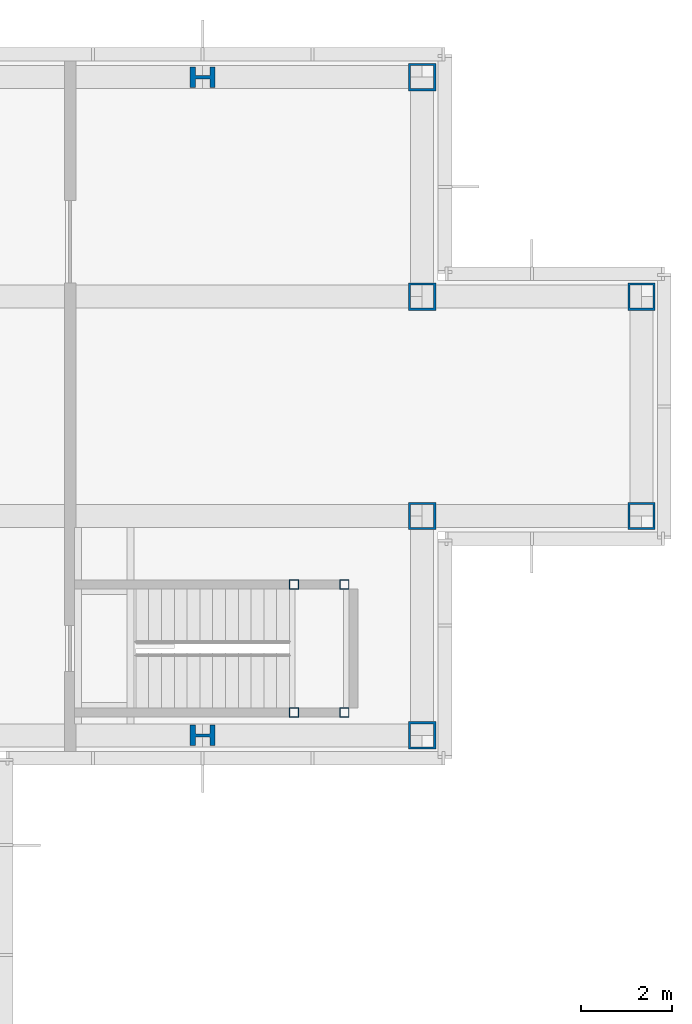
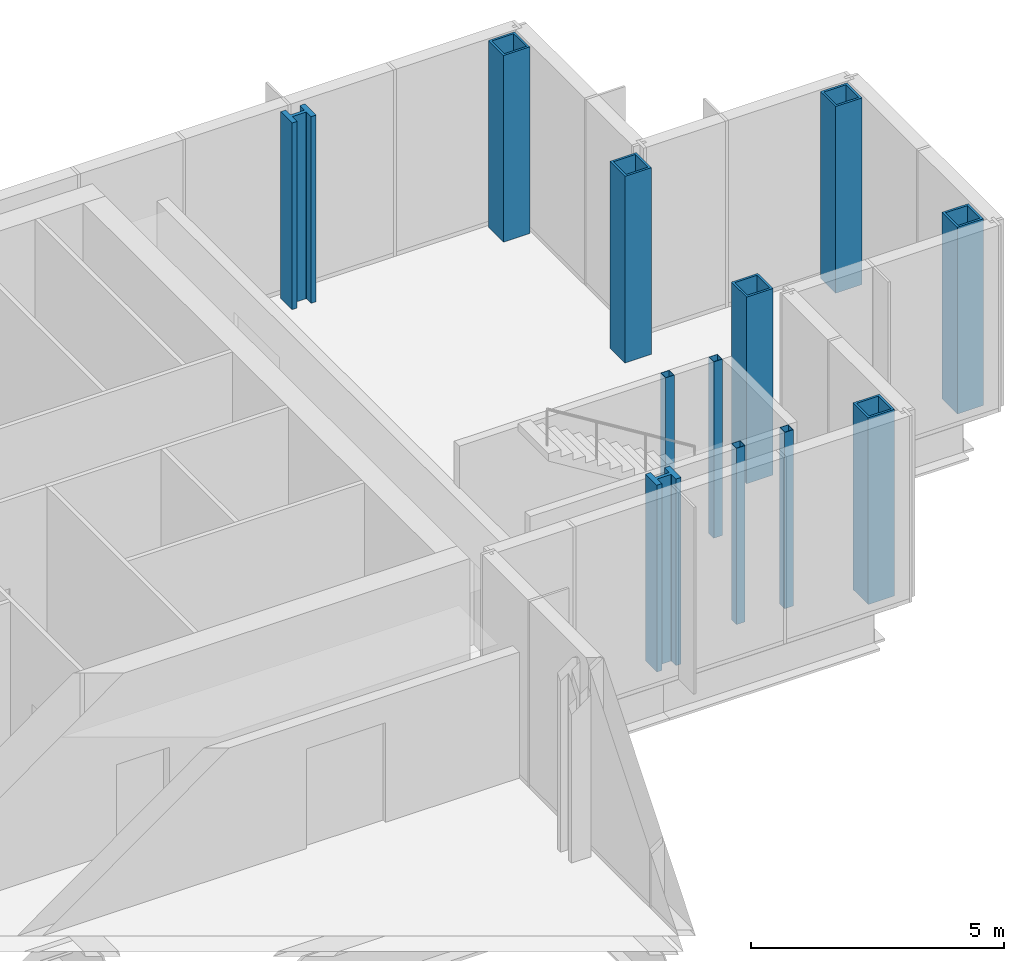
# One storey, part 4 of 12: 12 columns.
"""IFC4 building model written with IfcOpenShell, lengths in metres."""

from ifc_helpers import new_model, si_unit, direction, frame, origin, origin_2d, place, context, subcontext, project, spatial, hollow_rectangle, i_section, extrude, material, material_profile, profile_set, type_object, element, save


model = new_model("IFC4")

# Units and contexts
model_context = context("Model", 3, precision=1e-05, world=origin(), true_north=direction((0.0, 1.0)))
body_context = subcontext(model_context, "Body", "Model", "MODEL_VIEW")
ifc_project = project(units=[si_unit("LENGTHUNIT", "METRE"), si_unit("AREAUNIT", "SQUARE_METRE"), si_unit("VOLUMEUNIT", "CUBIC_METRE"), si_unit("PLANEANGLEUNIT", "RADIAN"), si_unit("MASSUNIT", "GRAM", prefix="KILO")], contexts=[model_context])

# Site, building, storey
site_placement = place(None, origin())
site = spatial("IfcSite", under=ifc_project, at=site_placement, CompositionType="ELEMENT")
building_placement = place(site_placement, origin())
building = spatial("IfcBuilding", under=site, at=building_placement, Name="Kvirike Care Tower", CompositionType="ELEMENT")
storey_placement = place(building_placement, frame((0.0, 0.0, 243.5)))
storey = spatial("IfcBuildingStorey", under=building, at=storey_placement, Name="L67", CompositionType="ELEMENT", Elevation=243.5)

# Columns
ifc_material_1 = material(Name="Steel S460", Category="steel")
ifc_material_profile_1 = material_profile(ifc_material_1, hollow_rectangle(XDim=0.60009765625, YDim=0.60009765625, WallThickness=0.050048828125, at=origin_2d()), Name="BX 600x600x50")
ifc_profile_set_1 = profile_set([ifc_material_profile_1], Name="Steel S460")
column_type_1 = type_object("IfcColumnType", Name="COLUMN BX 600x600x50", PredefinedType="COLUMN", material=ifc_profile_set_1)
for number, where, z_axis, x_axis, name in (
    (1, (38.39990234375, 28.800048828125, 0.0), (0.0, 0.0, 1.0), (0.0, 1.0, 0.0), "Column G11 L67"),
    (2, (38.39990234375, 33.60009765625, 0.0), (0.0, 0.0, 1.0), (0.0, 1.0, 0.0), "Column H11 L67"),
    (3, (38.39990234375, 38.39990234375, 0.0), (0.0, 0.0, 1.0), (0.0, 1.0, 0.0), "Column J11 L67"),
    (4, (38.39990234375, 43.199951171875, 0.0), (0.0, 0.0, 1.0), (0.0, 1.0, 0.0), "Column K11 L67"),
    (5, (43.199951171875, 33.60009765625, 0.0), (0.0, 0.0, 1.0), (0.0, 1.0, 0.0), "Column H12 L67"),
    (6, (43.199951171875, 38.39990234375, 0.0), (0.0, 0.0, 1.0), (0.0, 1.0, 0.0), "Column J12 L67"),
):
    element("IfcColumn", number, at=place(storey_placement, frame(where, z_axis=z_axis, x_axis=x_axis)), inside=storey, type_object=column_type_1, Name=name, PredefinedType="COLUMN", context=body_context, shape_type="SweptSolid", body=[
        extrude(hollow_rectangle(XDim=0.60009765625, YDim=0.60009765625, WallThickness=0.050048828125, at=origin_2d()), origin(), (0.0, 0.0, 1.0), 4.5),
    ])
ifc_material_2 = material(Name="Steel S460", Category="steel")
ifc_material_profile_2 = material_profile(ifc_material_2, i_section(OverallWidth=0.447998046875, OverallDepth=0.550048828125, WebThickness=0.072021484375, FlangeThickness=0.114990234375, FilletRadius=0.014892578125, at=origin_2d()), Name="HD 400x990")
ifc_profile_set_2 = profile_set([ifc_material_profile_2], Name="Steel S460")
column_type_2 = type_object("IfcColumnType", Name="COLUMN HD 400x990", PredefinedType="COLUMN", material=ifc_profile_set_2)
for number, where, z_axis, x_axis, name in (
    (7, (33.60009765625, 28.800048828125, 0.0), (0.0, 0.0, 1.0), (0.0, 1.0, 0.0), "Column G10 L67"),
    (8, (33.60009765625, 43.199951171875, 0.0), (0.0, 0.0, 1.0), (0.0, 1.0, 0.0), "Column K10 L67"),
):
    element("IfcColumn", number, at=place(storey_placement, frame(where, z_axis=z_axis, x_axis=x_axis)), inside=storey, type_object=column_type_2, Name=name, PredefinedType="COLUMN", context=body_context, shape_type="SweptSolid", body=[
        extrude(i_section(OverallWidth=0.447998046875, OverallDepth=0.550048828125, WebThickness=0.072021484375, FlangeThickness=0.114990234375, FilletRadius=0.014892578125, at=origin_2d()), origin(), (0.0, 0.0, 1.0), 4.5),
    ])
ifc_material_3 = material(Name="Steel S460", Category="steel")
ifc_material_profile_3 = material_profile(ifc_material_3, hollow_rectangle(XDim=0.199951171875, YDim=0.199951171875, WallThickness=0.008056640625, at=origin_2d()), Name="SHS 200x200x8")
ifc_profile_set_3 = profile_set([ifc_material_profile_3], Name="Steel S460")
column_type_3 = type_object("IfcColumnType", Name="STAIR POST SHS 200x200x8", PredefinedType="COLUMN", material=ifc_profile_set_3)
for number, where, z_axis, x_axis, name in (
    (9, (36.699951171875, 29.300048828125, 0.0), (0.0, 0.0, 1.0), (1.0, 0.0, 0.0), "Stair 2 post 1 L67"),
    (10, (36.699951171875, 32.10009765625, 0.0), (0.0, 0.0, 1.0), (1.0, 0.0, 0.0), "Stair 2 post 2 L67"),
    (11, (35.60009765625, 29.300048828125, 0.0), (0.0, 0.0, 1.0), (1.0, 0.0, 0.0), "Stair 2 post 3 L67"),
    (12, (35.60009765625, 32.10009765625, 0.0), (0.0, 0.0, 1.0), (1.0, 0.0, 0.0), "Stair 2 post 4 L67"),
):
    element("IfcColumn", number, at=place(storey_placement, frame(where, z_axis=z_axis, x_axis=x_axis)), inside=storey, type_object=column_type_3, Name=name, PredefinedType="COLUMN", context=body_context, shape_type="SweptSolid", body=[
        extrude(hollow_rectangle(XDim=0.199951171875, YDim=0.199951171875, WallThickness=0.008056640625, at=origin_2d()), origin(), (0.0, 0.0, 1.0), 4.25),
    ])

save(model, "model.ifc")
